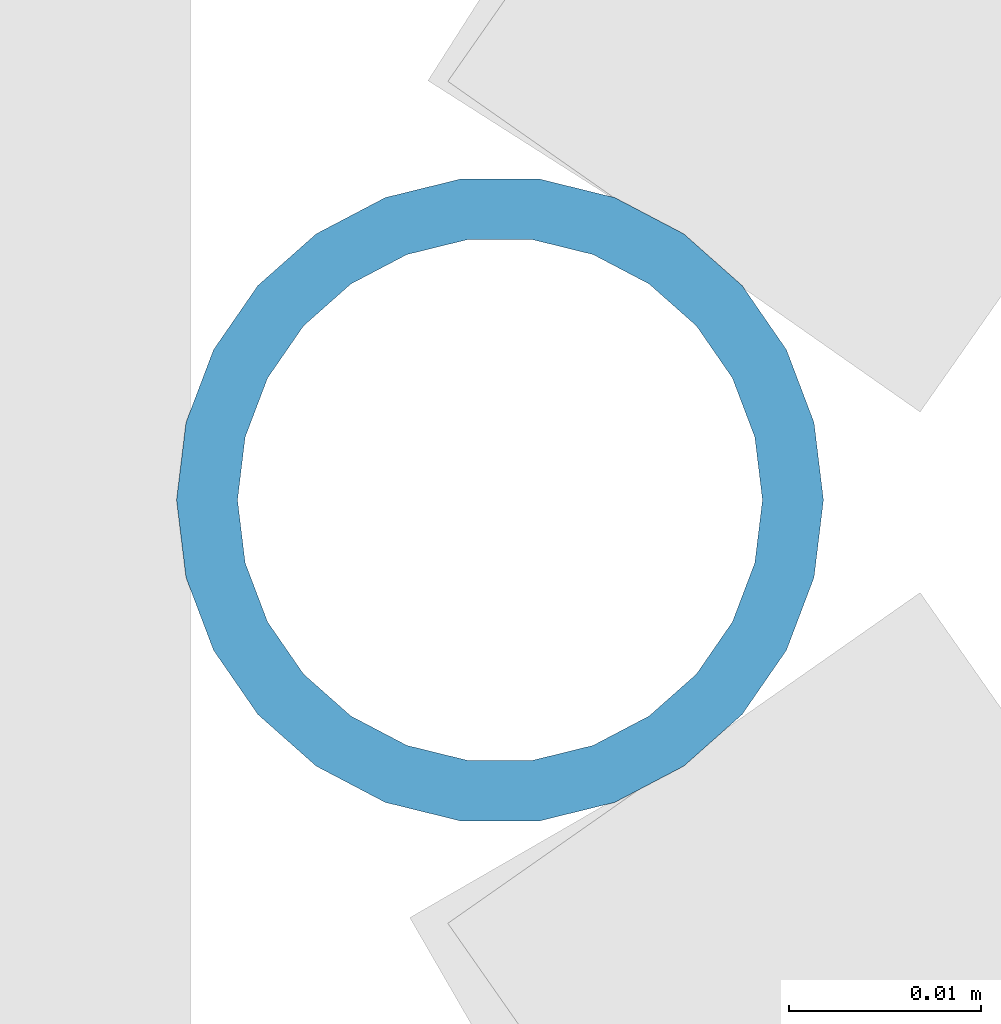
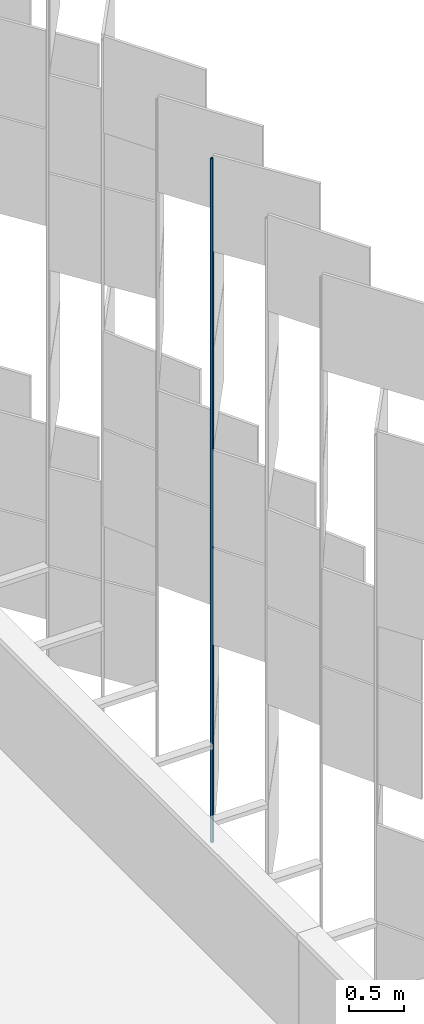
# One storey, part 282 of 483: 1 discrete accessory.
"""IFC4 building model written with IfcOpenShell, lengths in metres."""

import ifcopenshell
import ifcopenshell.guid

model = None  # the IFC model being written
_history = None  # IfcOwnerHistory: only IFC2X3 demands one
_inside = {}  # id of a spatial element -> (the spatial element, [elements in it])
_under = {}  # id of a project, library or spatial element -> (it, [spatial elements below it])
_declared = {}  # id of a project -> (the project, [libraries it declares])
_typed = {}  # id of a type object -> (the type object, [elements of that type])
_made_of = {}  # id of a material, layer set ... -> (it, [elements and type objects made of it])


def new_model(schema):
    """Start an empty IFC model of exactly this schema.

    Asked for "IFC4X3", IfcOpenShell would pick the latest addendum, in which some entities
    have other attributes; the version numbers below select the first issue.
    IFC2X3 requires an IfcOwnerHistory on every rooted entity: one is made here for all.
    """
    global model, _history
    if schema == "IFC4X3":
        model = ifcopenshell.file(schema_version=(4, 3, 0, 0))
    else:
        model = ifcopenshell.file(schema=schema)
    _inside.clear()
    _under.clear()
    _declared.clear()
    _typed.clear()
    _made_of.clear()
    _history = None
    if model.schema == "IFC2X3":
        org = make("IfcOrganization", Name="unknown")
        user = make(
            "IfcPersonAndOrganization",
            ThePerson=make("IfcPerson", FamilyName="unknown"),
            TheOrganization=org,
        )
        app = make(
            "IfcApplication",
            ApplicationDeveloper=org,
            Version="unknown",
            ApplicationFullName="unknown",
            ApplicationIdentifier="unknown",
        )
        _history = make(
            "IfcOwnerHistory",
            OwningUser=user,
            OwningApplication=app,
            ChangeAction="ADDED",
            CreationDate=0,
        )
    return model


def make(cls, **values):
    """One entity of the class cls with the attributes given. An attribute that is None is left unset."""
    return model.create_entity(
        cls, **{name: value for name, value in values.items() if value is not None}
    )


def rooted(cls, **values):
    """An entity with a GlobalId (a new one), such as an element, a storey or a relation."""
    return make(cls, GlobalId=ifcopenshell.guid.new(), OwnerHistory=_history, **values)


def si_unit(unit_type, name, prefix=None):
    """IfcSIUnit, for example si_unit("LENGTHUNIT", "METRE", prefix="MILLI")."""
    return make("IfcSIUnit", UnitType=unit_type, Prefix=prefix, Name=name)


def assignment(units):
    """IfcUnitAssignment: the units of a project."""
    return None if units is None else make("IfcUnitAssignment", Units=units)


def point(xyz):
    """IfcCartesianPoint."""
    return None if xyz is None else make("IfcCartesianPoint", Coordinates=xyz)


def direction(xyz):
    """IfcDirection."""
    return None if xyz is None else make("IfcDirection", DirectionRatios=xyz)


def frame(location, z_axis=None, x_axis=None):
    """IfcAxis2Placement3D, a coordinate frame: its origin and axes. An axis left out is left unset."""
    return make(
        "IfcAxis2Placement3D",
        Location=point(location),
        Axis=direction(z_axis),
        RefDirection=direction(x_axis),
    )


def frame_2d(location, x_axis=None):
    """IfcAxis2Placement2D, a coordinate frame in the plane: its origin and x axis."""
    return make(
        "IfcAxis2Placement2D", Location=point(location), RefDirection=direction(x_axis)
    )


def origin():
    """The frame at (0, 0, 0) with its axes left unset."""
    return frame((0.0, 0.0, 0.0))


def origin_2d():
    """The frame at (0, 0) in the plane with its x axis left unset."""
    return frame_2d((0.0, 0.0))


def place(relative_to, where):
    """IfcLocalPlacement: puts the frame where relative to a parent placement (None: the world)."""
    return make(
        "IfcLocalPlacement", PlacementRelTo=relative_to, RelativePlacement=where
    )


def context(
    kind, dimensions, precision=None, world=None, true_north=None, identifier=None
):
    """IfcGeometricRepresentationContext, for example the 3D "Model" context."""
    return make(
        "IfcGeometricRepresentationContext",
        ContextIdentifier=identifier,
        ContextType=kind,
        CoordinateSpaceDimension=dimensions,
        Precision=precision,
        WorldCoordinateSystem=world,
        TrueNorth=true_north,
    )


def subcontext(parent, identifier, kind, view, scale=None):
    """IfcGeometricRepresentationSubContext, for example "Body" below "Model"."""
    return make(
        "IfcGeometricRepresentationSubContext",
        ContextIdentifier=identifier,
        ContextType=kind,
        ParentContext=parent,
        TargetScale=scale,
        TargetView=view,
    )


def project(units=None, contexts=None):
    """IfcProject with its units and contexts."""
    return rooted(
        "IfcProject",
        Name="project",
        RepresentationContexts=contexts,
        UnitsInContext=assignment(units),
    )


def spatial(cls, under=None, at=None, **own):
    """A site, building, storey or space (cls), placed at a placement, below another one or the project."""
    s = rooted(cls, ObjectPlacement=at, **own)
    if under is not None:
        _under.setdefault(under.id(), (under, []))[1].append(s)
    return s


def profile(cls, at=None, kind="AREA", **sizes):
    """A parametric profile (cls). Its sizes go by their IFC names, for example OverallWidth=200.0."""
    return make(cls, ProfileType=kind, Position=at, **sizes)


def hollow_circle(**sizes):
    """IfcCircleHollowProfileDef."""
    return profile("IfcCircleHollowProfileDef", **sizes)


def extrude(swept, where, along, depth):
    """IfcExtrudedAreaSolid: the profile swept, set in the frame where, extruded along a direction by depth."""
    return make(
        "IfcExtrudedAreaSolid",
        SweptArea=swept,
        Position=where,
        ExtrudedDirection=direction(along),
        Depth=depth,
    )


def shape(context_of_items, identifier, shape_type, items):
    """IfcShapeRepresentation: the items that make up one representation, for example the "Body"."""
    return make(
        "IfcShapeRepresentation",
        ContextOfItems=context_of_items,
        RepresentationIdentifier=identifier,
        RepresentationType=shape_type,
        Items=items,
    )


def material(Name=None, Category=None):
    """IfcMaterial."""
    return make("IfcMaterial", Name=Name, Category=Category)


def material_profile(
    of_material, cross_section, Name=None, Category=None, Priority=None
):
    """IfcMaterialProfile: a cross section and its material."""
    return make(
        "IfcMaterialProfile",
        Name=Name,
        Material=of_material,
        Profile=cross_section,
        Priority=Priority,
        Category=Category,
    )


def profile_set(profiles, Name=None, composite=None):
    """IfcMaterialProfileSet."""
    return make(
        "IfcMaterialProfileSet",
        Name=Name,
        MaterialProfiles=profiles,
        CompositeProfile=composite,
    )


def made_of(thing, what):
    """Note that an element or type object is made of a material, layer set ...; save() writes the relation."""
    if what is not None:
        _made_of.setdefault(what.id(), (what, []))[1].append(thing)
    return thing


def type_object(cls, material=None, **own):
    """A type object (cls), such as IfcWallType, which elements share."""
    return made_of(rooted(cls, **own), material)


def element(
    cls,
    number,
    at=None,
    inside=None,
    cuts=None,
    type_object=None,
    material=None,
    context=None,
    identifier="Body",
    shape_type=None,
    held_by="IfcProductDefinitionShape",
    body=None,
    shapes=None,
    **own,
):
    """One element of the class cls, such as IfcWall. Its Tag is "e" and its number.

    at: its placement. inside: the storey or other place that contains it. cuts: it is an
    opening in that element (IfcRelVoidsElement). A single representation is given by context,
    identifier, shape_type and body (its items); several are given by shapes. held_by: the class
    of the entity that holds the representations. save() writes the other relations.
    """
    e = rooted(cls, Tag="e%d" % number, ObjectPlacement=at, **own)
    if body is not None:
        shapes = [shape(context, identifier, shape_type, body)]
    if shapes is not None:
        e.Representation = make(held_by, Representations=shapes)
    if inside is not None:
        _inside.setdefault(inside.id(), (inside, []))[1].append(e)
    if cuts is not None:
        rooted(
            "IfcRelVoidsElement", RelatingBuildingElement=cuts, RelatedOpeningElement=e
        )
    if type_object is not None:
        _typed.setdefault(type_object.id(), (type_object, []))[1].append(e)
    return made_of(e, material)


def aggregate(whole, parts):
    """IfcRelAggregates: a whole, such as a stair, and the parts it consists of."""
    return rooted("IfcRelAggregates", RelatingObject=whole, RelatedObjects=parts)


def save(model, path):
    """Write the relations noted so far, then the file.

    IfcRelAggregates (storeys below a building ...), IfcRelContainedInSpatialStructure (elements
    in a storey), IfcRelDefinesByType, IfcRelAssociatesMaterial and IfcRelDeclares: one each for
    every whole, place, type object, material and project.
    """
    for whole, parts in _under.values():
        aggregate(whole, parts)
    for where, things in _inside.values():
        rooted(
            "IfcRelContainedInSpatialStructure",
            RelatedElements=things,
            RelatingStructure=where,
        )
    for kind, things in _typed.values():
        rooted("IfcRelDefinesByType", RelatedObjects=things, RelatingType=kind)
    for what, things in _made_of.values():
        rooted("IfcRelAssociatesMaterial", RelatedObjects=things, RelatingMaterial=what)
    for by, libraries in _declared.values():
        rooted("IfcRelDeclares", RelatingContext=by, RelatedDefinitions=libraries)
    model.write(path)


model = new_model("IFC4")

# Units and contexts
model_context = context("Model", 3, precision=1e-05, world=origin(), true_north=direction((0.0, 1.0)))
body_context = subcontext(model_context, "Body", "Model", "MODEL_VIEW")
ifc_project = project(units=[si_unit("LENGTHUNIT", "METRE"), si_unit("AREAUNIT", "SQUARE_METRE"), si_unit("VOLUMEUNIT", "CUBIC_METRE"), si_unit("PLANEANGLEUNIT", "RADIAN"), si_unit("MASSUNIT", "GRAM", prefix="KILO")], contexts=[model_context])

# Site, building, storey
site_placement = place(None, origin())
site = spatial("IfcSite", under=ifc_project, at=site_placement, CompositionType="ELEMENT")
building_placement = place(site_placement, origin())
building = spatial("IfcBuilding", under=site, at=building_placement, Name="Parallax Yard Mobility Hub", CompositionType="ELEMENT")
storey_placement = place(building_placement, frame((0.0, 0.0, 13.199951171875)))
storey = spatial("IfcBuildingStorey", under=building, at=storey_placement, Name="L04", CompositionType="ELEMENT", Elevation=13.199951171875)

# Discrete accessory
ifc_material = material(Name="Steel ASTM A500 Gr C, hot-dip galvanised", Category="steel")
ifc_material_profile = material_profile(ifc_material, hollow_circle(Radius=0.016845703125, WallThickness=0.003173828125, at=origin_2d()), Name="CHS 33.7x3.2")
ifc_profile_set = profile_set([ifc_material_profile], Name="Steel ASTM A500 Gr C, hot-dip galvanised")
discrete_accessory_type = type_object("IfcDiscreteAccessoryType", Name="Hinge post CHS 33.7x3.2", PredefinedType="BRACKET", material=ifc_profile_set)
discrete_accessory_placement = place(storey_placement, frame((225.69140625, 85.715576171875, 0.0), z_axis=(0.0, 0.0, 1.0), x_axis=(1.0, 0.0, 0.0)))
element("IfcDiscreteAccessory", 1, at=discrete_accessory_placement, inside=storey, type_object=discrete_accessory_type, Name="Hinge post bay 40.4 level L04", PredefinedType="BRACKET", context=body_context, shape_type="SweptSolid", body=[
    extrude(hollow_circle(Radius=0.016845703125, WallThickness=0.003173828125, at=origin_2d()), origin(), (0.0, 0.0, 1.0), 7.650146484375),
])

save(model, "model.ifc")
